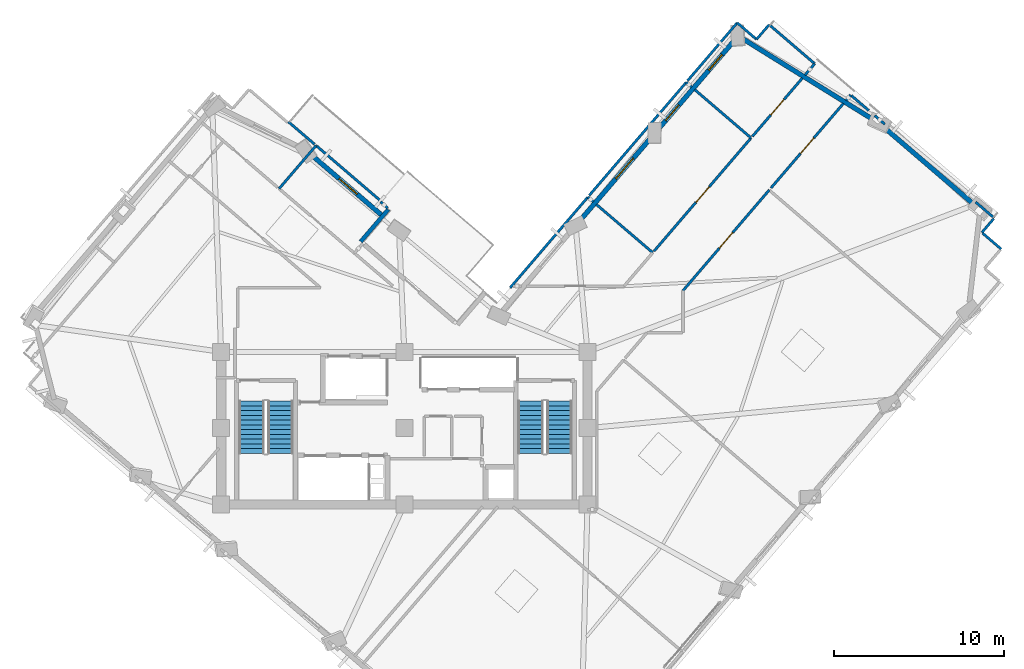
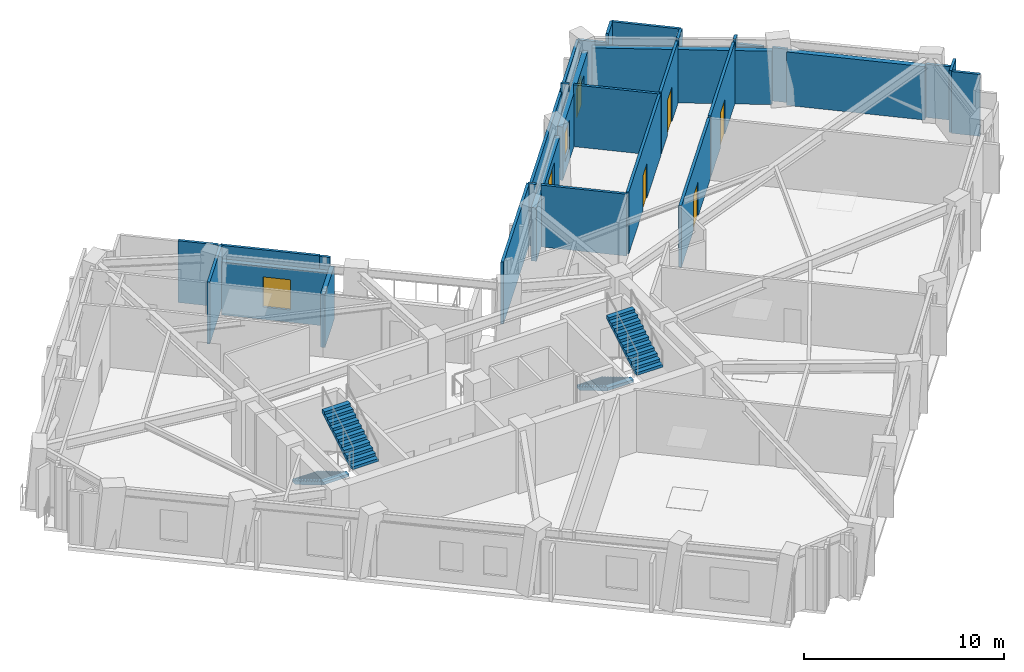
# One storey, part 8 of 12: 31 walls, 4 doors, 4 stair flights, 4 windows, 8 openings, 2 elements without a shape of their own.
"""IFC4 building model written with IfcOpenShell, lengths in metres."""

import ifcopenshell
import ifcopenshell.guid

model = None  # the IFC model being written
_history = None  # IfcOwnerHistory: only IFC2X3 demands one
_inside = {}  # id of a spatial element -> (the spatial element, [elements in it])
_under = {}  # id of a project, library or spatial element -> (it, [spatial elements below it])
_declared = {}  # id of a project -> (the project, [libraries it declares])
_typed = {}  # id of a type object -> (the type object, [elements of that type])
_made_of = {}  # id of a material, layer set ... -> (it, [elements and type objects made of it])


def new_model(schema):
    """Start an empty IFC model of exactly this schema.

    Asked for "IFC4X3", IfcOpenShell would pick the latest addendum, in which some entities
    have other attributes; the version numbers below select the first issue.
    IFC2X3 requires an IfcOwnerHistory on every rooted entity: one is made here for all.
    """
    global model, _history
    if schema == "IFC4X3":
        model = ifcopenshell.file(schema_version=(4, 3, 0, 0))
    else:
        model = ifcopenshell.file(schema=schema)
    _inside.clear()
    _under.clear()
    _declared.clear()
    _typed.clear()
    _made_of.clear()
    _history = None
    if model.schema == "IFC2X3":
        org = make("IfcOrganization", Name="unknown")
        user = make(
            "IfcPersonAndOrganization",
            ThePerson=make("IfcPerson", FamilyName="unknown"),
            TheOrganization=org,
        )
        app = make(
            "IfcApplication",
            ApplicationDeveloper=org,
            Version="unknown",
            ApplicationFullName="unknown",
            ApplicationIdentifier="unknown",
        )
        _history = make(
            "IfcOwnerHistory",
            OwningUser=user,
            OwningApplication=app,
            ChangeAction="ADDED",
            CreationDate=0,
        )
    return model


def make(cls, **values):
    """One entity of the class cls with the attributes given. An attribute that is None is left unset."""
    return model.create_entity(
        cls, **{name: value for name, value in values.items() if value is not None}
    )


def rooted(cls, **values):
    """An entity with a GlobalId (a new one), such as an element, a storey or a relation."""
    return make(cls, GlobalId=ifcopenshell.guid.new(), OwnerHistory=_history, **values)


def si_unit(unit_type, name, prefix=None):
    """IfcSIUnit, for example si_unit("LENGTHUNIT", "METRE", prefix="MILLI")."""
    return make("IfcSIUnit", UnitType=unit_type, Prefix=prefix, Name=name)


def assignment(units):
    """IfcUnitAssignment: the units of a project."""
    return None if units is None else make("IfcUnitAssignment", Units=units)


def point(xyz):
    """IfcCartesianPoint."""
    return None if xyz is None else make("IfcCartesianPoint", Coordinates=xyz)


def direction(xyz):
    """IfcDirection."""
    return None if xyz is None else make("IfcDirection", DirectionRatios=xyz)


def frame(location, z_axis=None, x_axis=None):
    """IfcAxis2Placement3D, a coordinate frame: its origin and axes. An axis left out is left unset."""
    return make(
        "IfcAxis2Placement3D",
        Location=point(location),
        Axis=direction(z_axis),
        RefDirection=direction(x_axis),
    )


def frame_2d(location, x_axis=None):
    """IfcAxis2Placement2D, a coordinate frame in the plane: its origin and x axis."""
    return make(
        "IfcAxis2Placement2D", Location=point(location), RefDirection=direction(x_axis)
    )


def origin():
    """The frame at (0, 0, 0) with its axes left unset."""
    return frame((0.0, 0.0, 0.0))


def place(relative_to, where):
    """IfcLocalPlacement: puts the frame where relative to a parent placement (None: the world)."""
    return make(
        "IfcLocalPlacement", PlacementRelTo=relative_to, RelativePlacement=where
    )


def context(
    kind, dimensions, precision=None, world=None, true_north=None, identifier=None
):
    """IfcGeometricRepresentationContext, for example the 3D "Model" context."""
    return make(
        "IfcGeometricRepresentationContext",
        ContextIdentifier=identifier,
        ContextType=kind,
        CoordinateSpaceDimension=dimensions,
        Precision=precision,
        WorldCoordinateSystem=world,
        TrueNorth=true_north,
    )


def subcontext(parent, identifier, kind, view, scale=None):
    """IfcGeometricRepresentationSubContext, for example "Body" below "Model"."""
    return make(
        "IfcGeometricRepresentationSubContext",
        ContextIdentifier=identifier,
        ContextType=kind,
        ParentContext=parent,
        TargetScale=scale,
        TargetView=view,
    )


def project(units=None, contexts=None):
    """IfcProject with its units and contexts."""
    return rooted(
        "IfcProject",
        Name="project",
        RepresentationContexts=contexts,
        UnitsInContext=assignment(units),
    )


def spatial(cls, under=None, at=None, **own):
    """A site, building, storey or space (cls), placed at a placement, below another one or the project."""
    s = rooted(cls, ObjectPlacement=at, **own)
    if under is not None:
        _under.setdefault(under.id(), (under, []))[1].append(s)
    return s


def polyline(points):
    """IfcPolyline through the points."""
    return make("IfcPolyline", Points=[point(p) for p in points])


def profile(cls, at=None, kind="AREA", **sizes):
    """A parametric profile (cls). Its sizes go by their IFC names, for example OverallWidth=200.0."""
    return make(cls, ProfileType=kind, Position=at, **sizes)


def rectangle(**sizes):
    """IfcRectangleProfileDef."""
    return profile("IfcRectangleProfileDef", **sizes)


def outline(outer, holes=None, kind="AREA"):
    """IfcArbitraryClosedProfileDef: a profile drawn as a closed curve; with holes, ...WithVoids."""
    if holes is None:
        return make("IfcArbitraryClosedProfileDef", ProfileType=kind, OuterCurve=outer)
    return make(
        "IfcArbitraryProfileDefWithVoids",
        ProfileType=kind,
        OuterCurve=outer,
        InnerCurves=holes,
    )


def extrude(swept, where, along, depth):
    """IfcExtrudedAreaSolid: the profile swept, set in the frame where, extruded along a direction by depth."""
    return make(
        "IfcExtrudedAreaSolid",
        SweptArea=swept,
        Position=where,
        ExtrudedDirection=direction(along),
        Depth=depth,
    )


def shape(context_of_items, identifier, shape_type, items):
    """IfcShapeRepresentation: the items that make up one representation, for example the "Body"."""
    return make(
        "IfcShapeRepresentation",
        ContextOfItems=context_of_items,
        RepresentationIdentifier=identifier,
        RepresentationType=shape_type,
        Items=items,
    )


def material(Name=None, Category=None):
    """IfcMaterial."""
    return make("IfcMaterial", Name=Name, Category=Category)


def layer(
    of_material, thickness, ventilated=None, Name=None, Category=None, Priority=None
):
    """IfcMaterialLayer: one layer of a wall or slab, of a material (None: an air gap)."""
    return make(
        "IfcMaterialLayer",
        Material=of_material,
        LayerThickness=thickness,
        IsVentilated=ventilated,
        Name=Name,
        Category=Category,
        Priority=Priority,
    )


def layer_set(layers, Name=None):
    """IfcMaterialLayerSet."""
    return make("IfcMaterialLayerSet", MaterialLayers=layers, LayerSetName=Name)


def made_of(thing, what):
    """Note that an element or type object is made of a material, layer set ...; save() writes the relation."""
    if what is not None:
        _made_of.setdefault(what.id(), (what, []))[1].append(thing)
    return thing


def type_object(cls, material=None, **own):
    """A type object (cls), such as IfcWallType, which elements share."""
    return made_of(rooted(cls, **own), material)


def element(
    cls,
    number,
    at=None,
    inside=None,
    cuts=None,
    type_object=None,
    material=None,
    context=None,
    identifier="Body",
    shape_type=None,
    held_by="IfcProductDefinitionShape",
    body=None,
    shapes=None,
    **own,
):
    """One element of the class cls, such as IfcWall. Its Tag is "e" and its number.

    at: its placement. inside: the storey or other place that contains it. cuts: it is an
    opening in that element (IfcRelVoidsElement). A single representation is given by context,
    identifier, shape_type and body (its items); several are given by shapes. held_by: the class
    of the entity that holds the representations. save() writes the other relations.
    """
    e = rooted(cls, Tag="e%d" % number, ObjectPlacement=at, **own)
    if body is not None:
        shapes = [shape(context, identifier, shape_type, body)]
    if shapes is not None:
        e.Representation = make(held_by, Representations=shapes)
    if inside is not None:
        _inside.setdefault(inside.id(), (inside, []))[1].append(e)
    if cuts is not None:
        rooted(
            "IfcRelVoidsElement", RelatingBuildingElement=cuts, RelatedOpeningElement=e
        )
    if type_object is not None:
        _typed.setdefault(type_object.id(), (type_object, []))[1].append(e)
    return made_of(e, material)


def fill(opening, filler):
    """IfcRelFillsElement: the door or window that sits in an opening."""
    return rooted(
        "IfcRelFillsElement",
        RelatingOpeningElement=opening,
        RelatedBuildingElement=filler,
    )


def aggregate(whole, parts):
    """IfcRelAggregates: a whole, such as a stair, and the parts it consists of."""
    return rooted("IfcRelAggregates", RelatingObject=whole, RelatedObjects=parts)


def save(model, path):
    """Write the relations noted so far, then the file.

    IfcRelAggregates (storeys below a building ...), IfcRelContainedInSpatialStructure (elements
    in a storey), IfcRelDefinesByType, IfcRelAssociatesMaterial and IfcRelDeclares: one each for
    every whole, place, type object, material and project.
    """
    for whole, parts in _under.values():
        aggregate(whole, parts)
    for where, things in _inside.values():
        rooted(
            "IfcRelContainedInSpatialStructure",
            RelatedElements=things,
            RelatingStructure=where,
        )
    for kind, things in _typed.values():
        rooted("IfcRelDefinesByType", RelatedObjects=things, RelatingType=kind)
    for what, things in _made_of.values():
        rooted("IfcRelAssociatesMaterial", RelatedObjects=things, RelatingMaterial=what)
    for by, libraries in _declared.values():
        rooted("IfcRelDeclares", RelatingContext=by, RelatedDefinitions=libraries)
    model.write(path)


model = new_model("IFC4")

# Units and contexts
model_context = context("Model", 3, precision=1e-05, world=origin(), true_north=direction((0.0, 1.0)))
body_context = subcontext(model_context, "Body", "Model", "MODEL_VIEW")
ifc_project = project(units=[si_unit("LENGTHUNIT", "METRE"), si_unit("AREAUNIT", "SQUARE_METRE"), si_unit("VOLUMEUNIT", "CUBIC_METRE"), si_unit("PLANEANGLEUNIT", "RADIAN"), si_unit("MASSUNIT", "GRAM", prefix="KILO")], contexts=[model_context])

# Site, building, storey
site_placement = place(None, origin())
site = spatial("IfcSite", under=ifc_project, at=site_placement, CompositionType="ELEMENT")
building_placement = place(site_placement, origin())
building = spatial("IfcBuilding", under=site, at=building_placement, Name="Gaonmaruhae Medical Tower", CompositionType="ELEMENT")
storey_placement = place(building_placement, frame((0.0, 0.0, 235.199951171875)))
storey = spatial("IfcBuildingStorey", under=building, at=storey_placement, Name="L56", CompositionType="ELEMENT", Elevation=235.199951171875)

# Walls
ifc_material_1 = material(Name="Precast concrete C45/55", Category="concrete")
ifc_layer_1 = layer(ifc_material_1, 0.239990234375)
ifc_layer_set_1 = layer_set([ifc_layer_1], Name="Precast concrete C45/55")
wall_type_1 = type_object("IfcWallType", Name="EW-240 Ribbon & Shelter Insulated Precast Wall", PredefinedType="SOLIDWALL", material=ifc_layer_set_1)
wall_1_placement = place(storey_placement, frame((23.85791015625, 25.195068359375, 0.0), z_axis=(0.0, 0.0, 1.0), x_axis=(-0.650775288898, -0.759270388833, 0.0)))
element("IfcWall", 1, at=wall_1_placement, inside=storey, type_object=wall_type_1, Name="L56 Recessed Terrace Enclosure Wall TERR", PredefinedType="SOLIDWALL", context=body_context, shape_type="SweptSolid", body=[
    extrude(rectangle(XDim=2.5, YDim=0.239990234375, at=frame_2d((1.25, 0.0))), origin(), (0.0, 0.0, 1.0), 3.26513671875),
])
ifc_layer_2 = layer(ifc_material_1, 0.280029296875)
ifc_layer_set_2 = layer_set([ifc_layer_2], Name="Precast concrete C45/55")
wall_type_2 = type_object("IfcWallType", Name="EW-280 Upper Precast Masonry-Frame Facade Wall", PredefinedType="SOLIDWALL", material=ifc_layer_set_2)
wall_2_placement = place(storey_placement, frame((53.013916015625, 30.089111328125, 0.0), z_axis=(0.0, 0.0, 1.0), x_axis=(0.759281059395, -0.650762839169, 0.0)))
element("IfcWall", 2, at=wall_2_placement, inside=storey, type_object=wall_type_2, Name="L56 Precast Masonry-Frame Wall E01-E02", PredefinedType="SOLIDWALL", context=body_context, shape_type="SweptSolid", body=[
    extrude(rectangle(XDim=7.04638671875, YDim=0.280029296875, at=frame_2d((3.523193359375, 0.0))), origin(), (0.0, 0.0, 1.0), 3.26513671875),
])
wall_3_placement = place(storey_placement, frame((44.716796875, 35.280029296875, 0.0), z_axis=(0.0, 0.0, 1.0), x_axis=(0.849811688813, -0.527086419439, 0.0)))
element("IfcWall", 3, at=wall_3_placement, inside=storey, type_object=wall_type_2, Name="L56 Precast Masonry-Frame Wall E02-E03", PredefinedType="SOLIDWALL", context=body_context, shape_type="SweptSolid", body=[
    extrude(rectangle(XDim=9.036376953125, YDim=0.280029296875, at=frame_2d((4.51806640625, 0.0))), origin(), (0.0, 0.0, 1.0), 3.26513671875),
])

# Wall, openings, windows
wall_4_placement = place(storey_placement, frame((39.833251953125, 29.998046875, 0.0), z_axis=(0.0, 0.0, 1.0), x_axis=(0.650773580077, 0.759271853471, 0.0)))
wall_4 = element("IfcWall", 4, at=wall_4_placement, inside=storey, type_object=wall_type_2, Name="L56 Precast Masonry-Frame Wall E03-EN01", PredefinedType="SOLIDWALL", context=body_context, shape_type="SweptSolid", body=[
    extrude(rectangle(XDim=6.77978515625, YDim=0.280029296875, at=frame_2d((3.389892578125, 0.0))), origin(), (0.0, 0.0, 1.0), 3.26513671875),
])
opening_1_placement = place(wall_4_placement, frame((4.485595703125, 0.0, 0.75)))
opening_1 = element("IfcOpeningElement", 5, at=opening_1_placement, cuts=wall_4, Name="Opening WN-05", PredefinedType="OPENING", context=body_context, shape_type="SweptSolid", body=[
    extrude(rectangle(XDim=1.199951171875, YDim=1.75, at=frame_2d((0.60009765625, 0.875))), frame((0.0, 0.14990234375, 0.0), z_axis=(0.0, -1.0, 0.0), x_axis=(1.0, 0.0, 0.0)), (0.0, 0.0, 1.0), 0.300048828125),
])
opening_2_placement = place(wall_4_placement, frame((0.57275390625, 0.0, 0.75)))
opening_2 = element("IfcOpeningElement", 6, at=opening_2_placement, cuts=wall_4, Name="Opening WN-05", PredefinedType="OPENING", context=body_context, shape_type="SweptSolid", body=[
    extrude(rectangle(XDim=1.199951171875, YDim=1.75, at=frame_2d((0.60009765625, 0.875))), frame((0.0, 0.14990234375, 0.0), z_axis=(0.0, -1.0, 0.0), x_axis=(1.0, 0.0, 0.0)), (0.0, 0.0, 1.0), 0.300048828125),
])
ifc_material_2 = material(Name="Anodised aluminium and Low-E double glazing", Category="aluminium")
window_type_1 = type_object("IfcWindowType", Name="WN-05 Support & Staff Punched Window 1200x1750", PartitioningType="SINGLE_PANEL", PredefinedType="WINDOW", material=ifc_material_2)
window_1_placement = place(opening_1_placement, origin())
window_1 = element("IfcWindow", 7, at=window_1_placement, inside=storey, type_object=window_type_1, Name="L56 Modular Facade Window E03", OverallHeight=1.75, OverallWidth=1.199951171875, PartitioningType="SINGLE_PANEL", PredefinedType="WINDOW", context=body_context, shape_type="SweptSolid", body=[
    extrude(rectangle(XDim=1.199951171875, YDim=1.75, at=frame_2d((0.60009765625, 0.875))), frame((0.0, 0.030029296875, 0.0), z_axis=(0.0, -1.0, 0.0), x_axis=(1.0, 0.0, 0.0)), (0.0, 0.0, 1.0), 0.06005859375),
])
fill(opening_1, window_1)
window_2_placement = place(opening_2_placement, origin())
window_2 = element("IfcWindow", 8, at=window_2_placement, inside=storey, type_object=window_type_1, Name="L56 Modular Facade Window E03B", OverallHeight=1.75, OverallWidth=1.199951171875, PartitioningType="SINGLE_PANEL", PredefinedType="WINDOW", context=body_context, shape_type="SweptSolid", body=[
    extrude(rectangle(XDim=1.199951171875, YDim=1.75, at=frame_2d((0.60009765625, 0.875))), frame((0.0, 0.030029296875, 0.0), z_axis=(0.0, -1.0, 0.0), x_axis=(1.0, 0.0, 0.0)), (0.0, 0.0, 1.0), 0.06005859375),
])
fill(opening_2, window_2)

# Wall, opening, window
wall_5_placement = place(storey_placement, frame((35.1513671875, 24.535400390625, 0.0), z_axis=(0.0, 0.0, 1.0), x_axis=(0.65076314179, 0.759280800026, 0.0)))
wall_5 = element("IfcWall", 9, at=wall_5_placement, inside=storey, type_object=wall_type_2, Name="L56 Precast Masonry-Frame Wall EN01-EN02", PredefinedType="SOLIDWALL", context=body_context, shape_type="SweptSolid", body=[
    extrude(rectangle(XDim=6.40966796875, YDim=0.280029296875, at=frame_2d((3.204833984375, 0.0))), origin(), (0.0, 0.0, 1.0), 3.26513671875),
])
opening_3_placement = place(wall_5_placement, frame((3.248046875, 0.0, 0.75)))
opening_3 = element("IfcOpeningElement", 10, at=opening_3_placement, cuts=wall_5, Name="Opening WN-01", PredefinedType="OPENING", context=body_context, shape_type="SweptSolid", body=[
    extrude(rectangle(XDim=1.60009765625, YDim=1.949951171875, at=frame_2d((0.800048828125, 0.97509765625))), frame((0.0, 0.14990234375, 0.0), z_axis=(0.0, -1.0, 0.0), x_axis=(1.0, 0.0, 0.0)), (0.0, 0.0, 1.0), 0.300048828125),
])
window_type_2 = type_object("IfcWindowType", Name="WN-01 Ward Punched Acoustic Window 1600x1950", PartitioningType="SINGLE_PANEL", PredefinedType="WINDOW", material=ifc_material_2)
window_3_placement = place(opening_3_placement, origin())
window_3 = element("IfcWindow", 11, at=window_3_placement, inside=storey, type_object=window_type_2, Name="L56 Modular Facade Window EN01", OverallHeight=1.949951171875, OverallWidth=1.60009765625, PartitioningType="SINGLE_PANEL", PredefinedType="WINDOW", context=body_context, shape_type="SweptSolid", body=[
    extrude(rectangle(XDim=1.60009765625, YDim=1.949951171875, at=frame_2d((0.800048828125, 0.97509765625))), frame((0.0, 0.030029296875, 0.0), z_axis=(0.0, -1.0, 0.0), x_axis=(1.0, 0.0, 0.0)), (0.0, 0.0, 1.0), 0.06005859375),
])
fill(opening_3, window_3)

wall_6_placement = place(storey_placement, frame((19.3427734375, 28.393310546875, 0.0), z_axis=(0.0, 0.0, 1.0), x_axis=(0.759259741696, -0.650787710886, 0.0)))
wall_6 = element("IfcWall", 12, at=wall_6_placement, inside=storey, type_object=wall_type_2, Name="L56 Precast Masonry-Frame Wall NE01-NE02", PredefinedType="SOLIDWALL", context=body_context, shape_type="SweptSolid", body=[
    extrude(rectangle(XDim=5.489501953125, YDim=0.280029296875, at=frame_2d((2.74462890625, 0.0))), origin(), (0.0, 0.0, 1.0), 3.2451171875),
])
opening_4_placement = place(wall_6_placement, frame((2.124267578125, 0.0, 0.75)))
opening_4 = element("IfcOpeningElement", 13, at=opening_4_placement, cuts=wall_6, Name="Opening WN-03", PredefinedType="OPENING", context=body_context, shape_type="SweptSolid", body=[
    extrude(rectangle(XDim=1.39990234375, YDim=1.85009765625, at=frame_2d((0.699951171875, 0.925048828125))), frame((0.0, 0.14990234375, 0.0), z_axis=(0.0, -1.0, 0.0), x_axis=(1.0, 0.0, 0.0)), (0.0, 0.0, 1.0), 0.300048828125),
])
window_type_3 = type_object("IfcWindowType", Name="WN-03 Isolation Ward Punched Window 1400x1850", PartitioningType="SINGLE_PANEL", PredefinedType="WINDOW", material=ifc_material_2)
window_4_placement = place(opening_4_placement, origin())
window_4 = element("IfcWindow", 14, at=window_4_placement, inside=storey, type_object=window_type_3, Name="L56 Modular Facade Window NE01", OverallHeight=1.85009765625, OverallWidth=1.39990234375, PartitioningType="SINGLE_PANEL", PredefinedType="WINDOW", context=body_context, shape_type="SweptSolid", body=[
    extrude(rectangle(XDim=1.39990234375, YDim=1.85009765625, at=frame_2d((0.699951171875, 0.925048828125))), frame((0.0, 0.030029296875, 0.0), z_axis=(0.0, -1.0, 0.0), x_axis=(1.0, 0.0, 0.0)), (0.0, 0.0, 1.0), 0.06005859375),
])
fill(opening_4, window_4)

# Wall, opening, door
ifc_material_3 = material(Name="Gypsum board partition", Category="gypsum")
ifc_layer_3 = layer(ifc_material_3, 0.14990234375)
ifc_layer_set_3 = layer_set([ifc_layer_3], Name="Gypsum board partition")
wall_type_3 = type_object("IfcWallType", Name="PW-150 Rated Clinical Corridor Partition", PredefinedType="PARTITIONING", material=ifc_layer_set_3)
wall_7_placement = place(storey_placement, frame((41.22998046875, 20.409912109375, 0.0), z_axis=(0.0, 0.0, 1.0), x_axis=(0.650786223128, 0.759261016902, 0.0)))
wall_7 = element("IfcWall", 15, at=wall_7_placement, inside=storey, type_object=wall_type_3, Name="L56 Interior Partition L56-SUP03-24", PredefinedType="PARTITIONING", context=body_context, shape_type="SweptSolid", body=[
    extrude(rectangle(XDim=7.8076171875, YDim=0.14990234375, at=frame_2d((3.90380859375, 0.0))), origin(), (0.0, 0.0, 1.0), 3.780029296875),
])
opening_5_placement = place(wall_7_placement, frame((3.3037109375, 0.0, 0.0)))
opening_5 = element("IfcOpeningElement", 16, at=opening_5_placement, cuts=wall_7, Name="Opening CD-02", PredefinedType="OPENING", context=body_context, shape_type="SweptSolid", body=[
    extrude(rectangle(XDim=1.199951171875, YDim=2.14990234375, at=frame_2d((0.60009765625, 1.074951171875))), frame((0.0, 0.0849609375, 0.0), z_axis=(0.0, -1.0, 0.0), x_axis=(1.0, 0.0, 0.0)), (0.0, 0.0, 1.0), 0.169921875),
])
ifc_material_4 = material(Name="Antimicrobial laminate timber fire door", Category="wood")
door_type = type_object("IfcDoorType", Name="CD-02 Clinical Treatment & Procedure Door 1200x2150", OperationType="NOTDEFINED", PredefinedType="DOOR", material=ifc_material_4)
door_1_placement = place(opening_5_placement, origin())
door_1 = element("IfcDoor", 17, at=door_1_placement, inside=storey, type_object=door_type, Name="L56 Clinical Biomedical Charting Office Door", OperationType="SINGLE_SWING_LEFT", OverallHeight=2.14990234375, OverallWidth=1.199951171875, PredefinedType="DOOR", context=body_context, shape_type="SweptSolid", body=[
    extrude(rectangle(XDim=1.199951171875, YDim=2.14990234375, at=frame_2d((0.60009765625, 1.074951171875))), frame((0.0, 0.02490234375, 0.0), z_axis=(0.0, -1.0, 0.0), x_axis=(1.0, 0.0, 0.0)), (0.0, 0.0, 1.0), 0.050048828125),
])
fill(opening_5, door_1)

wall_8_placement = place(storey_placement, frame((46.4150390625, 26.4599609375, 0.0), z_axis=(0.0, 0.0, 1.0), x_axis=(0.650766865256, 0.759277608708, 0.0)))
wall_8 = element("IfcWall", 18, at=wall_8_placement, inside=storey, type_object=wall_type_3, Name="L56 Interior Partition L56-SUP04-31", PredefinedType="PARTITIONING", context=body_context, shape_type="SweptSolid", body=[
    extrude(rectangle(XDim=6.56298828125, YDim=0.14990234375, at=frame_2d((3.281494140625, 0.0))), origin(), (0.0, 0.0, 1.0), 3.780029296875),
])
opening_6_placement = place(wall_8_placement, frame((2.681396484375, 0.0, 0.0)))
opening_6 = element("IfcOpeningElement", 19, at=opening_6_placement, cuts=wall_8, Name="Opening CD-02", PredefinedType="OPENING", context=body_context, shape_type="SweptSolid", body=[
    extrude(rectangle(XDim=1.199951171875, YDim=2.14990234375, at=frame_2d((0.60009765625, 1.074951171875))), frame((0.0, 0.0849609375, 0.0), z_axis=(0.0, -1.0, 0.0), x_axis=(1.0, 0.0, 0.0)), (0.0, 0.0, 1.0), 0.169921875),
])
door_2_placement = place(opening_6_placement, origin())
door_2 = element("IfcDoor", 20, at=door_2_placement, inside=storey, type_object=door_type, Name="L56 Clinical Biomedical Charting Office Door", OperationType="SINGLE_SWING_LEFT", OverallHeight=2.14990234375, OverallWidth=1.199951171875, PredefinedType="DOOR", context=body_context, shape_type="SweptSolid", body=[
    extrude(rectangle(XDim=1.199951171875, YDim=2.14990234375, at=frame_2d((0.60009765625, 1.074951171875))), frame((0.0, 0.02490234375, 0.0), z_axis=(0.0, -1.0, 0.0), x_axis=(1.0, 0.0, 0.0)), (0.0, 0.0, 1.0), 0.050048828125),
])
fill(opening_6, door_2)

# Walls
wall_9_placement = place(storey_placement, frame((50.8369140625, 31.618896484375, 0.0), z_axis=(0.0, 0.0, 1.0), x_axis=(0.651122018941, 0.758973067012, 0.0)))
element("IfcWall", 21, at=wall_9_placement, inside=storey, type_object=wall_type_3, Name="L56 Interior Partition L56-SUP04-32", PredefinedType="PARTITIONING", context=body_context, shape_type="SweptSolid", body=[
    extrude(rectangle(XDim=0.425537109375, YDim=0.14990234375, at=frame_2d((0.212890625, 0.0))), origin(), (0.0, 0.0, 1.0), 3.780029296875),
])
wall_10_placement = place(storey_placement, frame((51.152099609375, 31.908935546875, 0.0), z_axis=(0.0, 0.0, 1.0), x_axis=(0.759497758011, -0.65050991966, 0.0)))
element("IfcWall", 22, at=wall_10_placement, inside=storey, type_object=wall_type_3, Name="L56 Interior Partition L56-SUP04-33", PredefinedType="PARTITIONING", context=body_context, shape_type="SweptSolid", body=[
    extrude(rectangle(XDim=1.357421875, YDim=0.14990234375, at=frame_2d((0.6787109375, 0.0))), origin(), (0.0, 0.0, 1.0), 3.26513671875),
])
wall_11_placement = place(storey_placement, frame((52.528076171875, 30.72998046875, 0.0), z_axis=(0.0, 0.0, 1.0), x_axis=(0.759673156641, -0.650305078466, 0.0)))
element("IfcWall", 23, at=wall_11_placement, inside=storey, type_object=wall_type_3, Name="L56 Interior Partition L56-SUP04-34", PredefinedType="PARTITIONING", context=body_context, shape_type="SweptSolid", body=[
    extrude(rectangle(XDim=0.78564453125, YDim=0.14990234375, at=frame_2d((0.392822265625, 0.0))), origin(), (0.0, 0.0, 1.0), 3.26513671875),
])
wall_12_placement = place(storey_placement, frame((58.47509765625, 25.633056640625, 0.0), z_axis=(0.0, 0.0, 1.0), x_axis=(0.759292127366, -0.650749925332, 0.0)))
element("IfcWall", 24, at=wall_12_placement, inside=storey, type_object=wall_type_3, Name="L56 Interior Partition L56-SUP04-35", PredefinedType="PARTITIONING", context=body_context, shape_type="SweptSolid", body=[
    extrude(rectangle(XDim=1.455322265625, YDim=0.14990234375, at=frame_2d((0.7275390625, 0.0))), origin(), (0.0, 0.0, 1.0), 3.26513671875),
])
wall_13_placement = place(storey_placement, frame((59.547119140625, 24.64794921875, 0.0), z_axis=(0.0, 0.0, 1.0), x_axis=(-0.65035918922, -0.759626832726, 0.0)))
element("IfcWall", 25, at=wall_13_placement, inside=storey, type_object=wall_type_3, Name="L56 Interior Partition L56-SUP04-36", PredefinedType="PARTITIONING", context=body_context, shape_type="SweptSolid", body=[
    extrude(rectangle(XDim=1.0703125, YDim=0.14990234375, at=frame_2d((0.53515625, 0.0))), origin(), (0.0, 0.0, 1.0), 3.780029296875),
])
wall_14_placement = place(storey_placement, frame((58.888916015625, 23.802001953125, 0.0), z_axis=(0.0, 0.0, 1.0), x_axis=(0.759482410288, -0.650527838346, 0.0)))
element("IfcWall", 26, at=wall_14_placement, inside=storey, type_object=wall_type_3, Name="L56 Interior Partition L56-SUP04-37", PredefinedType="PARTITIONING", context=body_context, shape_type="SweptSolid", body=[
    extrude(rectangle(XDim=1.44970703125, YDim=0.14990234375, at=frame_2d((0.724853515625, 0.0))), origin(), (0.0, 0.0, 1.0), 3.780029296875),
])
wall_15_placement = place(storey_placement, frame((31.037109375, 20.580078125, 0.0), z_axis=(0.0, 0.0, 1.0), x_axis=(0.650742816993, 0.759298219497, 0.0)))
element("IfcWall", 27, at=wall_15_placement, inside=storey, type_object=wall_type_3, Name="L56 Interior Partition L56-IE01-55", PredefinedType="PARTITIONING", context=body_context, shape_type="SweptSolid", body=[
    extrude(rectangle(XDim=7.039306640625, YDim=0.14990234375, at=frame_2d((3.51953125, 0.0))), origin(), (0.0, 0.0, 1.0), 3.780029296875),
])
wall_16_placement = place(storey_placement, frame((35.617919921875, 25.925048828125, 0.0), z_axis=(0.0, 0.0, 1.0), x_axis=(0.759216962062, -0.650837617626, 0.0)))
element("IfcWall", 28, at=wall_16_placement, inside=storey, type_object=wall_type_3, Name="L56 Interior Partition L56-IE01-56", PredefinedType="PARTITIONING", context=body_context, shape_type="SweptSolid", body=[
    extrude(rectangle(XDim=0.434814453125, YDim=0.14990234375, at=frame_2d((0.21728515625, 0.0))), origin(), (0.0, 0.0, 1.0), 3.780029296875),
])
wall_17_placement = place(storey_placement, frame((36.123046875, 25.491943359375, 0.0), z_axis=(0.0, 0.0, 1.0), x_axis=(0.759425980715, -0.650593713323, 0.0)))
element("IfcWall", 29, at=wall_17_placement, inside=storey, type_object=wall_type_3, Name="L56 Interior Partition L56-IE01-57", PredefinedType="PARTITIONING", context=body_context, shape_type="SweptSolid", body=[
    extrude(rectangle(XDim=4.374267578125, YDim=0.14990234375, at=frame_2d((2.18701171875, 0.0))), origin(), (0.0, 0.0, 1.0), 3.780029296875),
])

# Wall, opening, door
wall_18_placement = place(storey_placement, frame((45.241943359375, 29.408935546875, 0.0), z_axis=(0.0, 0.0, 1.0), x_axis=(-0.650807389163, -0.759242874324, 0.0)))
wall_18 = element("IfcWall", 30, at=wall_18_placement, inside=storey, type_object=wall_type_3, Name="L56 Interior Partition L56-IE02-61", PredefinedType="PARTITIONING", context=body_context, shape_type="SweptSolid", body=[
    extrude(rectangle(XDim=8.78759765625, YDim=0.14990234375, at=frame_2d((4.393798828125, 0.0))), origin(), (0.0, 0.0, 1.0), 3.780029296875),
])
opening_7_placement = place(wall_18_placement, frame((3.793701171875, 0.0, 0.0)))
opening_7 = element("IfcOpeningElement", 31, at=opening_7_placement, cuts=wall_18, Name="Opening CD-02", PredefinedType="OPENING", context=body_context, shape_type="SweptSolid", body=[
    extrude(rectangle(XDim=1.199951171875, YDim=2.14990234375, at=frame_2d((0.60009765625, 1.074951171875))), frame((0.0, 0.0849609375, 0.0), z_axis=(0.0, -1.0, 0.0), x_axis=(1.0, 0.0, 0.0)), (0.0, 0.0, 1.0), 0.169921875),
])
door_3_placement = place(opening_7_placement, origin())
door_3 = element("IfcDoor", 32, at=door_3_placement, inside=storey, type_object=door_type, Name="L56 Acute Treatment Examination Room Door", OperationType="SINGLE_SWING_RIGHT", OverallHeight=2.14990234375, OverallWidth=1.199951171875, PredefinedType="DOOR", context=body_context, shape_type="SweptSolid", body=[
    extrude(rectangle(XDim=1.199951171875, YDim=2.14990234375, at=frame_2d((0.60009765625, 1.074951171875))), frame((0.0, 0.02490234375, 0.0), z_axis=(0.0, -1.0, 0.0), x_axis=(1.0, 0.0, 0.0)), (0.0, 0.0, 1.0), 0.050048828125),
])
fill(opening_7, door_3)

# Walls
wall_19_placement = place(storey_placement, frame((35.696044921875, 26.01708984375, 0.0), z_axis=(0.0, 0.0, 1.0), x_axis=(0.650807389163, 0.759242874324, 0.0)))
element("IfcWall", 33, at=wall_19_placement, inside=storey, type_object=wall_type_3, Name="L56 Interior Partition L56-IE02-62", PredefinedType="PARTITIONING", context=body_context, shape_type="SweptSolid", body=[
    extrude(rectangle(XDim=8.78759765625, YDim=0.14990234375, at=frame_2d((4.393798828125, 0.0))), origin(), (0.0, 0.0, 1.0), 3.26513671875),
])
wall_20_placement = place(storey_placement, frame((41.4150390625, 32.68896484375, 0.0), z_axis=(0.0, 0.0, 1.0), x_axis=(0.759216962062, -0.650837617626, 0.0)))
element("IfcWall", 34, at=wall_20_placement, inside=storey, type_object=wall_type_3, Name="L56 Interior Partition L56-IE02-63", PredefinedType="PARTITIONING", context=body_context, shape_type="SweptSolid", body=[
    extrude(rectangle(XDim=0.434814453125, YDim=0.14990234375, at=frame_2d((0.21728515625, 0.0))), origin(), (0.0, 0.0, 1.0), 3.780029296875),
])
wall_21_placement = place(storey_placement, frame((41.919921875, 32.256103515625, 0.0), z_axis=(0.0, 0.0, 1.0), x_axis=(0.75928811279, -0.650754609492, 0.0)))
element("IfcWall", 35, at=wall_21_placement, inside=storey, type_object=wall_type_3, Name="L56 Interior Partition L56-IE02-64", PredefinedType="PARTITIONING", context=body_context, shape_type="SweptSolid", body=[
    extrude(rectangle(XDim=4.375244140625, YDim=0.14990234375, at=frame_2d((2.1875, 0.0))), origin(), (0.0, 0.0, 1.0), 3.780029296875),
])
wall_22_placement = place(storey_placement, frame((45.56298828125, 35.22412109375, 0.0), z_axis=(0.0, 0.0, 1.0), x_axis=(0.651055975456, 0.759029720645, 0.0)))
element("IfcWall", 36, at=wall_22_placement, inside=storey, type_object=wall_type_3, Name="L56 Interior Partition L56-IE03-65", PredefinedType="PARTITIONING", context=body_context, shape_type="SweptSolid", body=[
    extrude(rectangle(XDim=1.1396484375, YDim=0.14990234375, at=frame_2d((0.56982421875, 0.0))), origin(), (0.0, 0.0, 1.0), 3.780029296875),
])
wall_23_placement = place(storey_placement, frame((46.304931640625, 36.089111328125, 0.0), z_axis=(0.0, 0.0, 1.0), x_axis=(0.759363699, -0.650666406572, 0.0)))
element("IfcWall", 37, at=wall_23_placement, inside=storey, type_object=wall_type_3, Name="L56 Interior Partition L56-IE03-66", PredefinedType="PARTITIONING", context=body_context, shape_type="SweptSolid", body=[
    extrude(rectangle(XDim=3.539794921875, YDim=0.14990234375, at=frame_2d((1.77001953125, 0.0))), origin(), (0.0, 0.0, 1.0), 3.780029296875),
])
wall_24_placement = place(storey_placement, frame((48.992919921875, 33.785888671875, 0.0), z_axis=(0.0, 0.0, 1.0), x_axis=(-0.65044837278, -0.759550468598, 0.0)))
element("IfcWall", 38, at=wall_24_placement, inside=storey, type_object=wall_type_3, Name="L56 Interior Partition L56-IE03-67", PredefinedType="PARTITIONING", context=body_context, shape_type="SweptSolid", body=[
    extrude(rectangle(XDim=0.87939453125, YDim=0.14990234375, at=frame_2d((0.439697265625, 0.0))), origin(), (0.0, 0.0, 1.0), 3.780029296875),
])

# Wall, opening, door
wall_25_placement = place(storey_placement, frame((48.26904296875, 32.94091796875, 0.0), z_axis=(0.0, 0.0, 1.0), x_axis=(-0.650742568716, -0.759298432278, 0.0)))
wall_25 = element("IfcWall", 39, at=wall_25_placement, inside=storey, type_object=wall_type_3, Name="L56 Interior Partition L56-IE03-68", PredefinedType="PARTITIONING", context=body_context, shape_type="SweptSolid", body=[
    extrude(rectangle(XDim=4.53173828125, YDim=0.14990234375, at=frame_2d((2.265869140625, 0.0))), origin(), (0.0, 0.0, 1.0), 3.780029296875),
])
opening_8_placement = place(wall_25_placement, frame((1.666015625, 0.0, 0.0)))
opening_8 = element("IfcOpeningElement", 40, at=opening_8_placement, cuts=wall_25, Name="Opening CD-02", PredefinedType="OPENING", context=body_context, shape_type="SweptSolid", body=[
    extrude(rectangle(XDim=1.199951171875, YDim=2.14990234375, at=frame_2d((0.60009765625, 1.074951171875))), frame((0.0, 0.0849609375, 0.0), z_axis=(0.0, -1.0, 0.0), x_axis=(1.0, 0.0, 0.0)), (0.0, 0.0, 1.0), 0.169921875),
])
door_4_placement = place(opening_8_placement, origin())
door_4 = element("IfcDoor", 41, at=door_4_placement, inside=storey, type_object=door_type, Name="L56 Clean Medication Preparation Room Door", OperationType="SINGLE_SWING_RIGHT", OverallHeight=2.14990234375, OverallWidth=1.199951171875, PredefinedType="DOOR", context=body_context, shape_type="SweptSolid", body=[
    extrude(rectangle(XDim=1.199951171875, YDim=2.14990234375, at=frame_2d((0.60009765625, 1.074951171875))), frame((0.0, 0.02490234375, 0.0), z_axis=(0.0, -1.0, 0.0), x_axis=(1.0, 0.0, 0.0)), (0.0, 0.0, 1.0), 0.050048828125),
])
fill(opening_8, door_4)

# Walls
wall_26_placement = place(storey_placement, frame((41.492919921875, 32.780029296875, 0.0), z_axis=(0.0, 0.0, 1.0), x_axis=(0.65088955775, 0.759172433385, 0.0)))
element("IfcWall", 42, at=wall_26_placement, inside=storey, type_object=wall_type_3, Name="L56 Interior Partition L56-IE03-69", PredefinedType="PARTITIONING", context=body_context, shape_type="SweptSolid", body=[
    extrude(rectangle(XDim=4.5048828125, YDim=0.14990234375, at=frame_2d((2.25244140625, 0.0))), origin(), (0.0, 0.0, 1.0), 3.26513671875),
])
wall_27_placement = place(storey_placement, frame((44.425048828125, 36.199951171875, 0.0), z_axis=(0.0, 0.0, 1.0), x_axis=(0.759107131063, -0.650965716125, 0.0)))
element("IfcWall", 43, at=wall_27_placement, inside=storey, type_object=wall_type_3, Name="L56 Interior Partition L56-IE03-70", PredefinedType="PARTITIONING", context=body_context, shape_type="SweptSolid", body=[
    extrude(rectangle(XDim=1.4990234375, YDim=0.14990234375, at=frame_2d((0.74951171875, 0.0))), origin(), (0.0, 0.0, 1.0), 3.26513671875),
])
wall_28_placement = place(storey_placement, frame((17.4189453125, 26.419921875, 0.0), z_axis=(0.0, 0.0, 1.0), x_axis=(0.65069535629, 0.759338892262, 0.0)))
element("IfcWall", 44, at=wall_28_placement, inside=storey, type_object=wall_type_3, Name="L56 Interior Partition L56-IN02-73", PredefinedType="PARTITIONING", context=body_context, shape_type="SweptSolid", body=[
    extrude(rectangle(XDim=3.3505859375, YDim=0.14990234375, at=frame_2d((1.67529296875, 0.0))), origin(), (0.0, 0.0, 1.0), 3.780029296875),
])
wall_29_placement = place(storey_placement, frame((19.59912109375, 28.964111328125, 0.0), z_axis=(0.0, 0.0, 1.0), x_axis=(0.759195122693, -0.650863092885, 0.0)))
element("IfcWall", 45, at=wall_29_placement, inside=storey, type_object=wall_type_3, Name="L56 Interior Partition L56-IN02-74", PredefinedType="PARTITIONING", context=body_context, shape_type="SweptSolid", body=[
    extrude(rectangle(XDim=5.0458984375, YDim=0.14990234375, at=frame_2d((2.52294921875, 0.0))), origin(), (0.0, 0.0, 1.0), 3.780029296875),
])
wall_30_placement = place(storey_placement, frame((23.39794921875, 25.64208984375, 0.0), z_axis=(0.0, 0.0, 1.0), x_axis=(0.758416079411, -0.651770703922, 0.0)))
element("IfcWall", 46, at=wall_30_placement, inside=storey, type_object=wall_type_3, Name="L56 Interior Partition L56-IN02-75", PredefinedType="PARTITIONING", context=body_context, shape_type="SweptSolid", body=[
    extrude(rectangle(XDim=0.553955078125, YDim=0.14990234375, at=frame_2d((0.27685546875, 0.0))), origin(), (0.0, 0.0, 1.0), 3.780029296875),
])
wall_31_placement = place(storey_placement, frame((17.964111328125, 30.364990234375, 0.0), z_axis=(0.0, 0.0, 1.0), x_axis=(0.759349828731, -0.650682593594, 0.0)))
element("IfcWall", 47, at=wall_31_placement, inside=storey, type_object=wall_type_3, Name="L56 Interior Partition L56-IN03-81", PredefinedType="PARTITIONING", context=body_context, shape_type="SweptSolid", body=[
    extrude(rectangle(XDim=2.033203125, YDim=0.14990234375, at=frame_2d((1.0166015625, 0.0))), origin(), (0.0, 0.0, 1.0), 3.780029296875),
])

# Stair, stair flights
ifc_material_5 = material(Name="Concrete C40/50", Category="concrete")
stair_type = type_object("IfcStairType", Name="ST-T1 Primary Core Escape Dogleg Stair", PredefinedType="TWO_QUARTER_TURN_STAIR", material=ifc_material_5)
stair_1_placement = place(storey_placement, origin())
stair_1 = element("IfcStair", 48, at=stair_1_placement, inside=storey, type_object=stair_type, Name="L56 Protected Escape Stair ST-01", PredefinedType="TWO_QUARTER_TURN_STAIR")
stair_flight_type = type_object("IfcStairFlightType", Name="SF-T1 Primary Core Precast Stair Flight", PredefinedType="STRAIGHT", material=ifc_material_5)
stair_flight_1_placement = place(storey_placement, frame((15.800048828125, 13.89990234375, 0.0), z_axis=(0.0, 0.0, 1.0), x_axis=(0.0, -1.0, 0.0)))
stair_flight_1 = element("IfcStairFlight", 49, at=stair_flight_1_placement, type_object=stair_flight_type, Name="ST-01 flight 1", NumberOfRisers=12, NumberOfTreads=11, PredefinedType="STRAIGHT", RiserHeight=0.166666667, TreadLength=0.28, context=body_context, shape_type="SweptSolid", body=[
    extrude(outline(polyline([(0.0, 0.0), (0.0, 0.166748046875), (0.280029296875, 0.166748046875), (0.280029296875, 0.333251953125), (0.56005859375, 0.333251953125), (0.56005859375, 0.5), (0.840087890625, 0.5), (0.840087890625, 0.666748046875), (1.1201171875, 0.666748046875), (1.1201171875, 0.833251953125), (1.39990234375, 0.833251953125), (1.39990234375, 1.0), (1.679931640625, 1.0), (1.679931640625, 1.166748046875), (1.9599609375, 1.166748046875), (1.9599609375, 1.333251953125), (2.239990234375, 1.333251953125), (2.239990234375, 1.5), (2.52001953125, 1.5), (2.52001953125, 1.666748046875), (2.800048828125, 1.666748046875), (2.800048828125, 1.833251953125), (3.080078125, 1.833251953125), (3.080078125, 2.0), (3.080078125, 1.658935546875), (0.29296875, 0.0), (0.0, 0.0)])), frame((0.0, 0.75, 0.0), z_axis=(0.0, -1.0, 0.0), x_axis=(1.0, 0.0, 0.0)), (0.0, 0.0, 1.0), 1.5),
])
stair_flight_2_placement = place(storey_placement, frame((17.5, 10.820068359375, 2.0), z_axis=(0.0, 0.0, 1.0), x_axis=(0.0, 1.0, 0.0)))
stair_flight_2 = element("IfcStairFlight", 50, at=stair_flight_2_placement, type_object=stair_flight_type, Name="ST-01 flight 2", NumberOfRisers=12, NumberOfTreads=11, PredefinedType="STRAIGHT", RiserHeight=0.166666667, TreadLength=0.28, context=body_context, shape_type="SweptSolid", body=[
    extrude(outline(polyline([(0.0, 0.0), (0.0, 0.166748046875), (0.280029296875, 0.166748046875), (0.280029296875, 0.333251953125), (0.56005859375, 0.333251953125), (0.56005859375, 0.5), (0.840087890625, 0.5), (0.840087890625, 0.666748046875), (1.1201171875, 0.666748046875), (1.1201171875, 0.833251953125), (1.39990234375, 0.833251953125), (1.39990234375, 1.0), (1.679931640625, 1.0), (1.679931640625, 1.166748046875), (1.9599609375, 1.166748046875), (1.9599609375, 1.333251953125), (2.239990234375, 1.333251953125), (2.239990234375, 1.5), (2.52001953125, 1.5), (2.52001953125, 1.666748046875), (2.800048828125, 1.666748046875), (2.800048828125, 1.833251953125), (3.080078125, 1.833251953125), (3.080078125, 2.0), (3.080078125, 1.658935546875), (0.29296875, 0.0), (0.0, 0.0)])), frame((0.0, 0.75, 0.0), z_axis=(0.0, -1.0, 0.0), x_axis=(1.0, 0.0, 0.0)), (0.0, 0.0, 1.0), 1.5),
])
aggregate(stair_1, [stair_flight_1, stair_flight_2])

stair_2_placement = place(storey_placement, origin())
stair_2 = element("IfcStair", 51, at=stair_2_placement, inside=storey, type_object=stair_type, Name="L56 Protected Escape Stair ST-02", PredefinedType="TWO_QUARTER_TURN_STAIR")
stair_flight_3_placement = place(storey_placement, frame((32.25, 13.89990234375, 0.0), z_axis=(0.0, 0.0, 1.0), x_axis=(0.0, -1.0, 0.0)))
stair_flight_3 = element("IfcStairFlight", 52, at=stair_flight_3_placement, type_object=stair_flight_type, Name="ST-02 flight 1", NumberOfRisers=12, NumberOfTreads=11, PredefinedType="STRAIGHT", RiserHeight=0.166666667, TreadLength=0.28, context=body_context, shape_type="SweptSolid", body=[
    extrude(outline(polyline([(0.0, 0.0), (0.0, 0.166748046875), (0.280029296875, 0.166748046875), (0.280029296875, 0.333251953125), (0.56005859375, 0.333251953125), (0.56005859375, 0.5), (0.840087890625, 0.5), (0.840087890625, 0.666748046875), (1.1201171875, 0.666748046875), (1.1201171875, 0.833251953125), (1.39990234375, 0.833251953125), (1.39990234375, 1.0), (1.679931640625, 1.0), (1.679931640625, 1.166748046875), (1.9599609375, 1.166748046875), (1.9599609375, 1.333251953125), (2.239990234375, 1.333251953125), (2.239990234375, 1.5), (2.52001953125, 1.5), (2.52001953125, 1.666748046875), (2.800048828125, 1.666748046875), (2.800048828125, 1.833251953125), (3.080078125, 1.833251953125), (3.080078125, 2.0), (3.080078125, 1.658935546875), (0.29296875, 0.0), (0.0, 0.0)])), frame((0.0, 0.75, 0.0), z_axis=(0.0, -1.0, 0.0), x_axis=(1.0, 0.0, 0.0)), (0.0, 0.0, 1.0), 1.5),
])
stair_flight_4_placement = place(storey_placement, frame((33.949951171875, 10.820068359375, 2.0), z_axis=(0.0, 0.0, 1.0), x_axis=(0.0, 1.0, 0.0)))
stair_flight_4 = element("IfcStairFlight", 53, at=stair_flight_4_placement, type_object=stair_flight_type, Name="ST-02 flight 2", NumberOfRisers=12, NumberOfTreads=11, PredefinedType="STRAIGHT", RiserHeight=0.166666667, TreadLength=0.28, context=body_context, shape_type="SweptSolid", body=[
    extrude(outline(polyline([(0.0, 0.0), (0.0, 0.166748046875), (0.280029296875, 0.166748046875), (0.280029296875, 0.333251953125), (0.56005859375, 0.333251953125), (0.56005859375, 0.5), (0.840087890625, 0.5), (0.840087890625, 0.666748046875), (1.1201171875, 0.666748046875), (1.1201171875, 0.833251953125), (1.39990234375, 0.833251953125), (1.39990234375, 1.0), (1.679931640625, 1.0), (1.679931640625, 1.166748046875), (1.9599609375, 1.166748046875), (1.9599609375, 1.333251953125), (2.239990234375, 1.333251953125), (2.239990234375, 1.5), (2.52001953125, 1.5), (2.52001953125, 1.666748046875), (2.800048828125, 1.666748046875), (2.800048828125, 1.833251953125), (3.080078125, 1.833251953125), (3.080078125, 2.0), (3.080078125, 1.658935546875), (0.29296875, 0.0), (0.0, 0.0)])), frame((0.0, 0.75, 0.0), z_axis=(0.0, -1.0, 0.0), x_axis=(1.0, 0.0, 0.0)), (0.0, 0.0, 1.0), 1.5),
])
aggregate(stair_2, [stair_flight_3, stair_flight_4])

save(model, "model.ifc")
